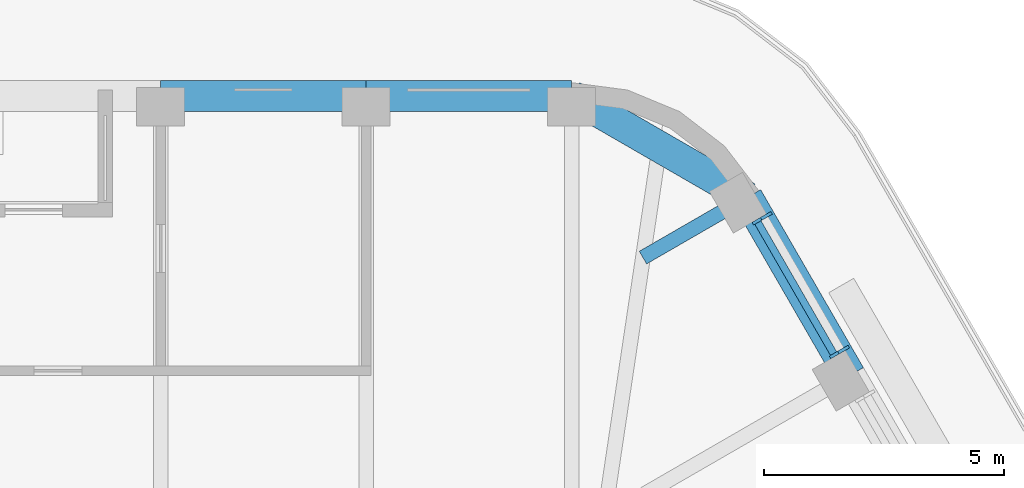
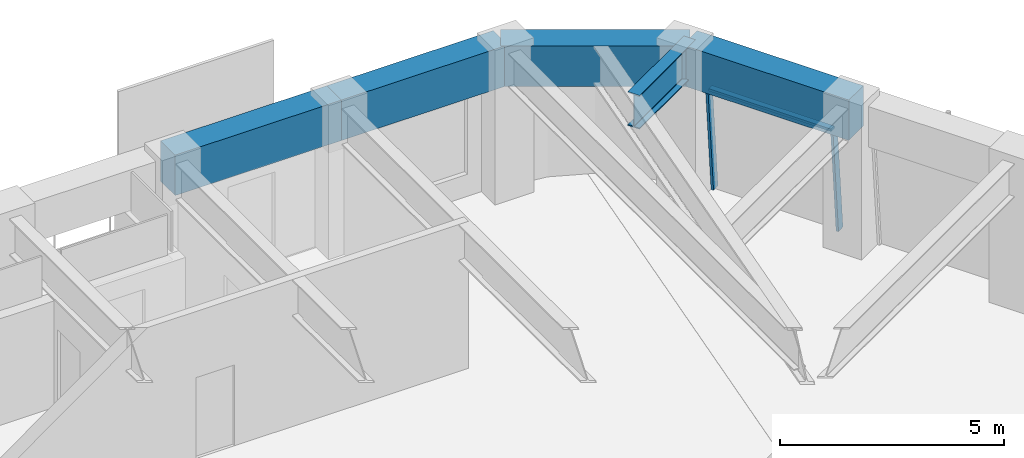
# One storey, part 11 of 19: 5 beams, 3 members, 1 element without a shape of its own.
"""IFC4 building model written with IfcOpenShell, lengths in metres."""

from ifc_helpers import new_model, si_unit, direction, frame, origin, origin_2d, place, context, subcontext, project, spatial, rectangle, i_section, extrude, material, material_profile, profile_set, type_object, element, aggregate, save


model = new_model("IFC4")

# Units and contexts
model_context = context("Model", 3, precision=1e-05, world=origin(), true_north=direction((0.0, 1.0)))
body_context = subcontext(model_context, "Body", "Model", "MODEL_VIEW")
ifc_project = project(units=[si_unit("LENGTHUNIT", "METRE"), si_unit("AREAUNIT", "SQUARE_METRE"), si_unit("VOLUMEUNIT", "CUBIC_METRE"), si_unit("PLANEANGLEUNIT", "RADIAN"), si_unit("MASSUNIT", "GRAM", prefix="KILO")], contexts=[model_context])

# Site, building, storey
site_placement = place(None, origin())
site = spatial("IfcSite", under=ifc_project, at=site_placement, CompositionType="ELEMENT")
building_placement = place(site_placement, origin())
building = spatial("IfcBuilding", under=site, at=building_placement, Name="Tarfa Lantern Tower", CompositionType="ELEMENT")
storey_placement = place(building_placement, frame((0.0, 0.0, 332.5)))
storey = spatial("IfcBuildingStorey", under=building, at=storey_placement, Name="L75", CompositionType="ELEMENT", Elevation=332.5)

# Curtain wall, members
ifc_material_1 = material(Name="Aluminium framed curtain wall", Category="aluminium")
curtain_wall_type = type_object("IfcCurtainWallType", Name="CW4 CANTED GLAZING EXECUTIVE ZONE 2900", PredefinedType="USERDEFINED", material=ifc_material_1)
curtain_wall_placement = place(storey_placement, origin())
curtain_wall = element("IfcCurtainWall", 1, at=curtain_wall_placement, inside=storey, type_object=curtain_wall_type, Name="CW4 NE L75", ObjectType="CURTAIN WALL", PredefinedType="USERDEFINED")
ifc_material_2 = material(Name="Aluminium mullion", Category="aluminium")
ifc_material_profile_1 = material_profile(ifc_material_2, rectangle(XDim=0.06494140625, YDim=0.199951171875, at=origin_2d()), Name="AL MULLION 65x200")
ifc_profile_set_1 = profile_set([ifc_material_profile_1], Name="Aluminium mullion")
member_type_1 = type_object("IfcMemberType", Name="CWM1 MULLION 65x200", PredefinedType="MULLION", material=ifc_profile_set_1)
member_1_placement = place(storey_placement, frame((18.53125, 21.202880859375, 0.0), z_axis=(-0.074399820079, -0.042945555672, 0.996303340364), x_axis=(0.499919672301, -0.866071776036, 0.0)))
member_1 = element("IfcMember", 2, at=member_1_placement, type_object=member_type_1, Name="CW4 mullion 1", PredefinedType="MULLION", context=body_context, shape_type="SweptSolid", body=[
    extrude(rectangle(XDim=0.06494140625, YDim=0.199951171875, at=origin_2d()), origin(), (0.0, 0.0, 1.0), 2.91064453125),
])
member_2_placement = place(storey_placement, frame((16.9228515625, 23.98876953125, 0.0), z_axis=(-0.074399820079, -0.042945555672, 0.996303340364), x_axis=(0.499919672301, -0.866071776036, 0.0)))
member_2 = element("IfcMember", 3, at=member_2_placement, type_object=member_type_1, Name="CW4 mullion 2", PredefinedType="MULLION", context=body_context, shape_type="SweptSolid", body=[
    extrude(rectangle(XDim=0.06494140625, YDim=0.199951171875, at=origin_2d()), origin(), (0.0, 0.0, 1.0), 2.91064453125),
])
ifc_material_3 = material(Name="Aluminium transom", Category="aluminium")
ifc_material_profile_2 = material_profile(ifc_material_3, rectangle(XDim=0.14990234375, YDim=0.06494140625, at=origin_2d()), Name="AL TRANSOM 150x65")
ifc_profile_set_2 = profile_set([ifc_material_profile_2], Name="Aluminium transom")
member_type_2 = type_object("IfcMemberType", Name="CWT1 TRANSOM 150x65", PredefinedType="USERDEFINED", material=ifc_profile_set_2)
member_3_placement = place(storey_placement, frame((18.301025390625, 21.107421875, 2.867431640625), z_axis=(-0.500037562771, 0.866003715822, 0.0), x_axis=(-0.866003715822, -0.500037562771, 0.0)))
member_3 = element("IfcMember", 4, at=member_3_placement, type_object=member_type_2, Name="CW4 transom 1.2", ObjectType="TRANSOM", PredefinedType="USERDEFINED", context=body_context, shape_type="SweptSolid", body=[
    extrude(rectangle(XDim=0.14990234375, YDim=0.06494140625, at=origin_2d()), origin(), (0.0, 0.0, 1.0), 3.152099609375),
])
aggregate(curtain_wall, [member_1, member_2, member_3])

# Beams
ifc_material_4 = material(Name="Concrete C80/95", Category="concrete")
ifc_material_profile_3 = material_profile(ifc_material_4, rectangle(XDim=0.64990234375, YDim=1.10009765625, at=origin_2d()), Name="RC 650x1100")
ifc_profile_set_3 = profile_set([ifc_material_profile_3], Name="Concrete C80/95")
beam_type_1 = type_object("IfcBeamType", Name="EB4 RC 650x1100", PredefinedType="SPANDREL", material=ifc_profile_set_3)
beam_1_placement = place(storey_placement, frame((18.6416015625, 20.651611328125, 3.449951171875), z_axis=(-0.499959351497, 0.866048870937, 0.0), x_axis=(-0.866048870937, -0.499959351497, 0.0)))
element("IfcBeam", 5, at=beam_1_placement, inside=storey, type_object=beam_type_1, Name="Edge beam NE5", PredefinedType="SPANDREL", context=body_context, shape_type="SweptSolid", body=[
    extrude(rectangle(XDim=0.64990234375, YDim=1.10009765625, at=origin_2d()), origin(), (0.0, 0.0, 1.0), 4.281982421875),
])
beam_2_placement = place(storey_placement, frame((16.500732421875, 24.360107421875, 3.449951171875), z_axis=(-0.866048788483, 0.499959494327, 0.0), x_axis=(-0.499959494327, -0.866048788483, 0.0)))
element("IfcBeam", 6, at=beam_2_placement, inside=storey, type_object=beam_type_1, Name="Edge beam NE6", PredefinedType="SPANDREL", context=body_context, shape_type="SweptSolid", body=[
    extrude(rectangle(XDim=0.64990234375, YDim=1.10009765625, at=origin_2d()), origin(), (0.0, 0.0, 1.0), 4.219970703125),
])
for number, where, z_axis, x_axis, name in (
    (7, (12.845947265625, 26.469970703125, 3.449951171875), (-1.0, 0.0, 0.0), (0.0, -1.0, 0.0), "Edge beam N0"),
    (8, (8.56396484375, 26.469970703125, 3.449951171875), (-1.0, 0.0, 0.0), (0.0, -1.0, 0.0), "Edge beam N1"),
):
    element("IfcBeam", number, at=place(storey_placement, frame(where, z_axis=z_axis, x_axis=x_axis)), inside=storey, type_object=beam_type_1, Name=name, PredefinedType="SPANDREL", context=body_context, shape_type="SweptSolid", body=[
        extrude(rectangle(XDim=0.64990234375, YDim=1.10009765625, at=origin_2d()), origin(), (0.0, 0.0, 1.0), 4.281982421875),
    ])
ifc_material_5 = material(Name="Steel S460M", Category="steel")
ifc_material_profile_4 = material_profile(ifc_material_5, i_section(OverallWidth=0.305419921875, OverallDepth=0.91845703125, WebThickness=0.017333984375, FlangeThickness=0.02783203125, FilletRadius=0.01904296875, at=origin_2d()), Name="UB914x305x253")
ifc_profile_set_4 = profile_set([ifc_material_profile_4], Name="Steel S460M")
beam_type_2 = type_object("IfcBeamType", Name="UB914x305x253", PredefinedType="BEAM", material=ifc_profile_set_4)
beam_3_placement = place(storey_placement, frame((16.500732421875, 24.360107421875, 3.540771484375), z_axis=(-0.865992557167, -0.500056887695, 0.0), x_axis=(0.500056887695, -0.865992557167, 0.0)))
element("IfcBeam", 9, at=beam_3_placement, inside=storey, type_object=beam_type_2, Name="Floor beam NE6", PredefinedType="BEAM", context=body_context, shape_type="SweptSolid", body=[
    extrude(i_section(OverallWidth=0.305419921875, OverallDepth=0.91845703125, WebThickness=0.017333984375, FlangeThickness=0.02783203125, FilletRadius=0.01904296875, at=origin_2d()), origin(), (0.0, 0.0, 1.0), 2.506591796875),
])

save(model, "model.ifc")
